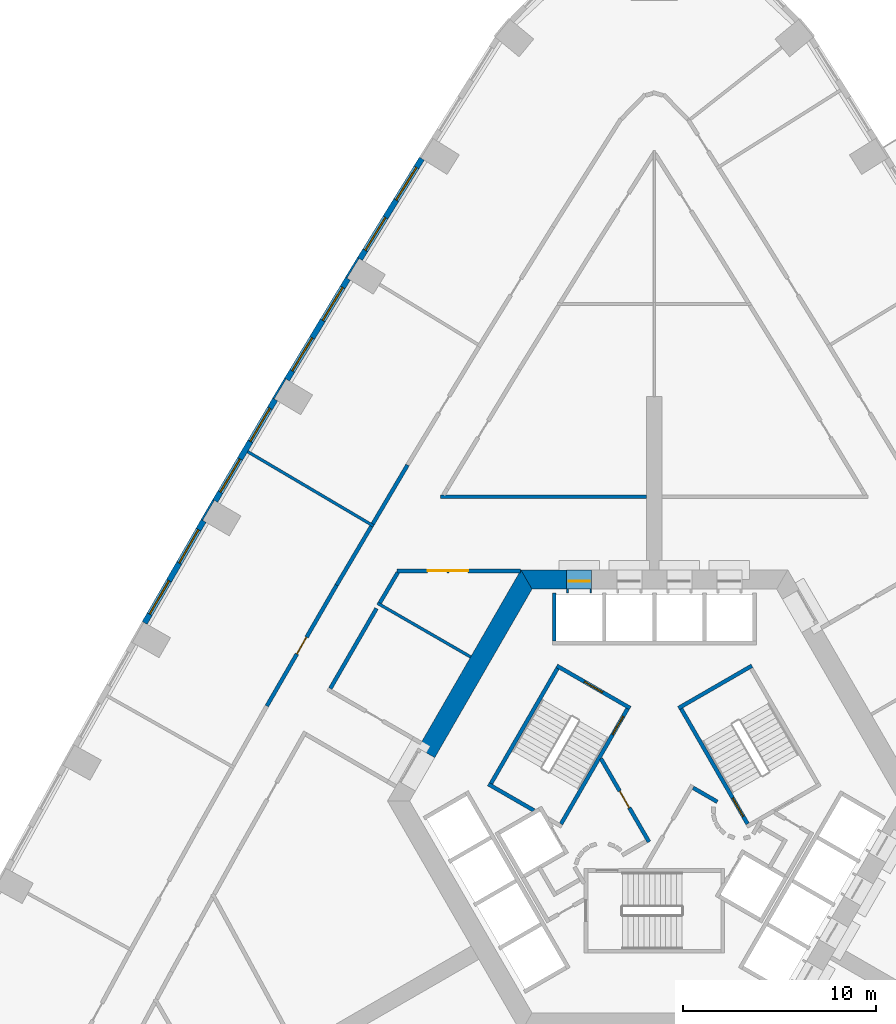
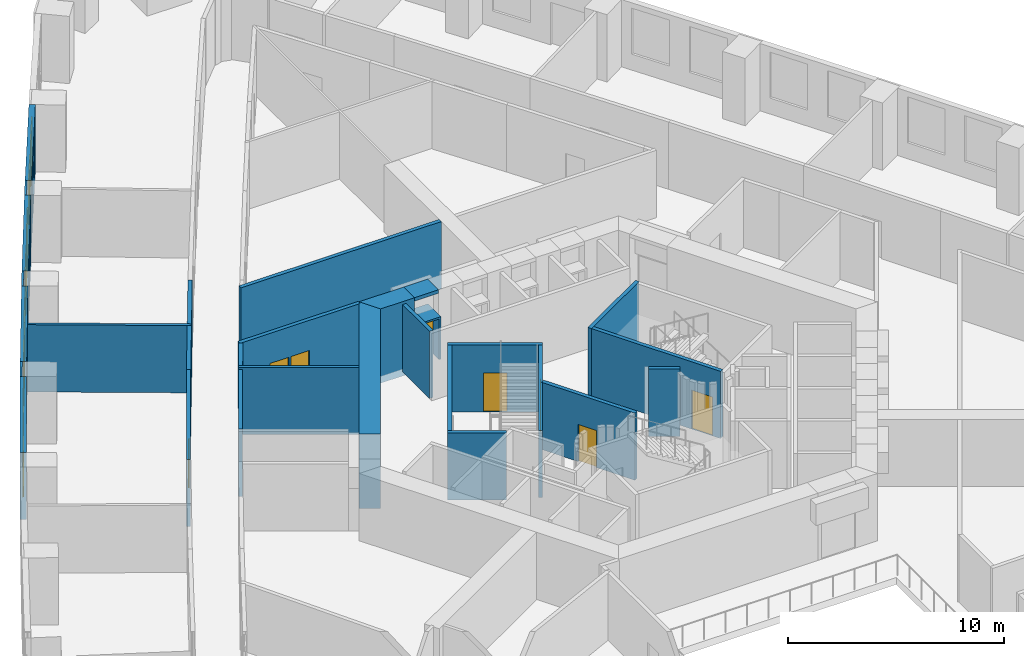
# One storey, part 8 of 16: 29 walls, 8 doors, 8 windows, 16 openings.
"""IFC4 building model written with IfcOpenShell, lengths in metres."""

from ifc_helpers import new_model, si_unit, direction, frame, frame_2d, origin, place, context, subcontext, project, spatial, polyline, rectangle, outline, extrude, material, layer, layer_set, type_object, element, fill, save


model = new_model("IFC4")

# Units and contexts
model_context = context("Model", 3, precision=1e-05, world=origin(), true_north=direction((0.0, 1.0)))
body_context = subcontext(model_context, "Body", "Model", "MODEL_VIEW")
ifc_project = project(units=[si_unit("LENGTHUNIT", "METRE"), si_unit("AREAUNIT", "SQUARE_METRE"), si_unit("VOLUMEUNIT", "CUBIC_METRE"), si_unit("PLANEANGLEUNIT", "RADIAN"), si_unit("MASSUNIT", "GRAM", prefix="KILO")], contexts=[model_context])

# Site, building, storey
site_placement = place(None, origin())
site = spatial("IfcSite", under=ifc_project, at=site_placement, CompositionType="ELEMENT")
building_placement = place(site_placement, origin())
building = spatial("IfcBuilding", under=site, at=building_placement, Name="Entoto Arch Interchange Tower", CompositionType="ELEMENT")
storey_placement = place(building_placement, frame((0.0, 0.0, 47.60009765625)))
storey = spatial("IfcBuildingStorey", under=building, at=storey_placement, Name="L09", CompositionType="ELEMENT", Elevation=47.60009765625)

# Walls
ifc_material_1 = material(Name="Concrete C60/75", Category="concrete")
ifc_layer_1 = layer(ifc_material_1, 1.0)
ifc_layer_set_1 = layer_set([ifc_layer_1], Name="Concrete C60/75")
wall_type_1 = type_object("IfcWallType", Name="Core wall 1000 C60/75", PredefinedType="SHEAR", material=ifc_layer_set_1)
wall_1_placement = place(storey_placement, frame((0.0, 0.0, -0.400146484375)))
element("IfcWall", 1, at=wall_1_placement, inside=storey, type_object=wall_type_1, Name="Core wall N L09", PredefinedType="SHEAR", context=body_context, shape_type="SweptSolid", body=[
    extrude(outline(polyline([(-4.550048828125, 13.5), (-4.550048828125, 14.5), (-6.927978515625, 14.5), (-6.35107421875, 13.5), (-4.550048828125, 13.5)])), origin(), (0.0, 0.0, 1.0), 4.199951171875),
])
wall_2_placement = place(storey_placement, frame((0.0, 0.0, 3.599853515625)))
element("IfcWall", 2, at=wall_2_placement, inside=storey, type_object=wall_type_1, Name="Core wall lintel N L09", PredefinedType="SHEAR", context=body_context, shape_type="SweptSolid", body=[
    extrude(outline(polyline([(-4.550048828125, 14.5), (-4.550048828125, 13.5), (-3.25, 13.5), (-3.25, 14.5), (-4.550048828125, 14.5)])), origin(), (0.0, 0.0, 1.0), 0.199951171875),
])
wall_3_placement = place(storey_placement, frame((0.0, 0.0, -0.400146484375)))
element("IfcWall", 3, at=wall_3_placement, inside=storey, type_object=wall_type_1, Name="Core wall NW L09", PredefinedType="SHEAR", context=body_context, shape_type="SweptSolid", body=[
    extrude(outline(polyline([(-12.26708984375, 5.251953125), (-11.402099609375, 4.751953125), (-6.35107421875, 13.5), (-6.927978515625, 14.5), (-12.26708984375, 5.251953125)])), origin(), (0.0, 0.0, 1.0), 4.199951171875),
])

# Wall, opening, door
ifc_material_2 = material(Name="Concrete C40/50", Category="concrete")
ifc_layer_2 = layer(ifc_material_2, 1.199951171875)
ifc_layer_set_2 = layer_set([ifc_layer_2], Name="Concrete C40/50")
wall_type_2 = type_object("IfcWallType", Name="LIFT LANDING INFILL WALL", PredefinedType="STANDARD", material=ifc_layer_set_2)
wall_4_placement = place(storey_placement, frame((-3.25, 13.89990234375, 0.0), z_axis=(0.0, 0.0, 1.0), x_axis=(-1.0, 0.0, 0.0)))
wall_4 = element("IfcWall", 4, at=wall_4_placement, inside=storey, type_object=wall_type_2, Name="Lift landing infill wall LR4 L09", PredefinedType="STANDARD", context=body_context, shape_type="SweptSolid", body=[
    extrude(rectangle(XDim=1.300048828125, YDim=1.199951171875, at=frame_2d((0.64990234375, 0.0))), origin(), (0.0, 0.0, 1.0), 2.39990234375),
])
opening_1_placement = place(wall_4_placement, frame((0.10009765625, 0.0, 0.0)))
opening_1 = element("IfcOpeningElement", 5, at=opening_1_placement, cuts=wall_4, Name="Opening LD-LR4-L09", PredefinedType="OPENING", context=body_context, shape_type="SweptSolid", body=[
    extrude(rectangle(XDim=1.10009765625, YDim=2.300048828125, at=frame_2d((0.550048828125, 1.14990234375))), frame((0.0, 0.60986328125, 0.0), z_axis=(0.0, -1.0, 0.0), x_axis=(1.0, 0.0, 0.0)), (0.0, 0.0, 1.0), 1.219970703125),
])
ifc_material_3 = material(Name="Stainless steel 1.4301 panels", Category="steel")
door_type_1 = type_object("IfcDoorType", Name="LIFT LANDING DOOR LD2 1100x2300", OperationType="SLIDING_TO_LEFT", PredefinedType="DOOR", material=ifc_material_3)
door_1_placement = place(opening_1_placement, origin())
door_1 = element("IfcDoor", 6, at=door_1_placement, inside=storey, type_object=door_type_1, Name="Lift landing door LR4 L09", OperationType="SLIDING_TO_LEFT", OverallHeight=2.300048828125, OverallWidth=1.10009765625, PredefinedType="DOOR", context=body_context, shape_type="SweptSolid", body=[
    extrude(rectangle(XDim=1.10009765625, YDim=2.300048828125, at=frame_2d((0.550048828125, 1.14990234375))), frame((0.0, 0.02490234375, 0.0), z_axis=(0.0, -1.0, 0.0), x_axis=(1.0, 0.0, 0.0)), (0.0, 0.0, 1.0), 0.050048828125),
])
fill(opening_1, door_1)

# Walls
ifc_layer_3 = layer(ifc_material_2, 0.199951171875)
ifc_layer_set_3 = layer_set([ifc_layer_3], Name="Concrete C40/50")
wall_type_3 = type_object("IfcWallType", Name="LIFT SHAFT WALL 200", PredefinedType="STANDARD", material=ifc_layer_set_3)
wall_5_placement = place(storey_placement, frame((-5.199951171875, 10.800048828125, 0.0), z_axis=(0.0, 0.0, 1.0), x_axis=(0.0, 1.0, 0.0)))
element("IfcWall", 7, at=wall_5_placement, inside=storey, type_object=wall_type_3, Name="Shaft wall N3 cross 5", PredefinedType="STANDARD", context=body_context, shape_type="SweptSolid", body=[
    extrude(rectangle(XDim=2.5, YDim=0.199951171875, at=frame_2d((1.25, 0.0))), origin(), (0.0, 0.0, 1.0), 3.7998046875),
])
ifc_material_4 = material(Name="Gypsum board partition on steel studs", Category="steel")
ifc_layer_4 = layer(ifc_material_4, 0.14990234375)
ifc_layer_set_4 = layer_set([ifc_layer_4], Name="Gypsum board partition on steel studs")
wall_type_4 = type_object("IfcWallType", Name="PARTITION 150", PredefinedType="PARTITIONING", material=ifc_layer_set_4)
wall_6_placement = place(storey_placement, frame((-14.376953125, 12.77490234375, 0.0), z_axis=(0.0, 0.0, 1.0), x_axis=(0.866051730117, -0.499954398681, 0.0)))
element("IfcWall", 8, at=wall_6_placement, inside=storey, type_object=wall_type_4, Name="wall:L09:p090", PredefinedType="PARTITIONING", context=body_context, shape_type="SweptSolid", body=[
    extrude(rectangle(XDim=5.58837890625, YDim=0.14990234375, at=frame_2d((2.794189453125, 0.0))), origin(), (0.0, 0.0, 1.0), 3.7998046875),
])
wall_7_placement = place(storey_placement, frame((-14.570068359375, 16.77587890625, 0.0), z_axis=(0.0, 0.0, 1.0), x_axis=(-0.861124703857, 0.508393788718, 0.0)))
element("IfcWall", 9, at=wall_7_placement, inside=storey, type_object=wall_type_4, Name="wall:L09:p141", PredefinedType="PARTITIONING", context=body_context, shape_type="SweptSolid", body=[
    extrude(rectangle(XDim=7.600341796875, YDim=0.14990234375, at=frame_2d((3.80029296875, 0.0))), origin(), (0.0, 0.0, 1.0), 3.7998046875),
])
ifc_layer_5 = layer(ifc_material_4, 0.199951171875)
ifc_layer_set_5 = layer_set([ifc_layer_5], Name="Gypsum board partition on steel studs")
wall_type_5 = type_object("IfcWallType", Name="PARTITION 200", PredefinedType="PARTITIONING", material=ifc_layer_set_5)
wall_8_placement = place(storey_placement, frame((-14.425048828125, 12.4970703125, 0.0), z_axis=(0.0, 0.0, 1.0), x_axis=(-0.500026519606, -0.866010092142, 0.0)))
element("IfcWall", 10, at=wall_8_placement, inside=storey, type_object=wall_type_5, Name="wall:L09:p001", PredefinedType="PARTITIONING", context=body_context, shape_type="SweptSolid", body=[
    extrude(rectangle(XDim=4.795654296875, YDim=0.199951171875, at=frame_2d((2.39794921875, 0.0))), origin(), (0.0, 0.0, 1.0), 3.7998046875),
])
wall_9_placement = place(storey_placement, frame((-13.322998046875, 14.364013671875, 0.0), z_axis=(0.0, 0.0, 1.0), x_axis=(-0.508274698505, -0.861195001646, 0.0)))
element("IfcWall", 11, at=wall_9_placement, inside=storey, type_object=wall_type_5, Name="wall:L09:p003", PredefinedType="PARTITIONING", context=body_context, shape_type="SweptSolid", body=[
    extrude(rectangle(XDim=1.82763671875, YDim=0.199951171875, at=frame_2d((0.913818359375, 0.0))), origin(), (0.0, 0.0, 1.0), 3.7998046875),
])
wall_10_placement = place(storey_placement, frame((-14.617919921875, 16.89111328125, 0.0), z_axis=(0.0, 0.0, 1.0), x_axis=(0.508267810274, 0.861199067022, 0.0)))
element("IfcWall", 12, at=wall_10_placement, inside=storey, type_object=wall_type_5, Name="wall:L09:p062", PredefinedType="PARTITIONING", context=body_context, shape_type="SweptSolid", body=[
    extrude(rectangle(XDim=3.54736328125, YDim=0.199951171875, at=frame_2d((1.773681640625, 0.0))), origin(), (0.0, 0.0, 1.0), 3.7998046875),
])

# Wall, opening, door
wall_11_placement = place(storey_placement, frame((-20.1201171875, 7.43408203125, 0.0), z_axis=(0.0, 0.0, 1.0), x_axis=(0.500039488902, 0.866002603656, 0.0)))
wall_11 = element("IfcWall", 13, at=wall_11_placement, inside=storey, type_object=wall_type_5, Name="wall:L09:p065", PredefinedType="PARTITIONING", context=body_context, shape_type="SweptSolid", body=[
    extrude(rectangle(XDim=7.24365234375, YDim=0.199951171875, at=frame_2d((3.621826171875, 0.0))), origin(), (0.0, 0.0, 1.0), 3.7998046875),
])
opening_2_placement = place(wall_11_placement, frame((3.1220703125, 0.0, 0.0)))
opening_2 = element("IfcOpeningElement", 14, at=opening_2_placement, cuts=wall_11, Name="Opening L09-D11", PredefinedType="OPENING", context=body_context, shape_type="SweptSolid", body=[
    extrude(rectangle(XDim=1.0, YDim=2.10009765625, at=frame_2d((0.5, 1.050048828125))), frame((0.0, 0.10986328125, 0.0), z_axis=(0.0, -1.0, 0.0), x_axis=(1.0, 0.0, 0.0)), (0.0, 0.0, 1.0), 0.219970703125),
])
ifc_material_5 = material(Name="Timber door leaf in Steel S235 frame", Category="steel")
door_type_2 = type_object("IfcDoorType", Name="DOOR DS-10 1000x2100", OperationType="SINGLE_SWING_LEFT", PredefinedType="DOOR", material=ifc_material_5)
door_2_placement = place(opening_2_placement, origin())
door_2 = element("IfcDoor", 15, at=door_2_placement, inside=storey, type_object=door_type_2, Name="door:L09:11", OperationType="SINGLE_SWING_LEFT", OverallHeight=2.10009765625, OverallWidth=1.0, PredefinedType="DOOR", context=body_context, shape_type="SweptSolid", body=[
    extrude(rectangle(XDim=1.0, YDim=2.10009765625, at=frame_2d((0.5, 1.050048828125))), frame((0.0, 0.02490234375, 0.0), z_axis=(0.0, -1.0, 0.0), x_axis=(1.0, 0.0, 0.0)), (0.0, 0.0, 1.0), 0.050048828125),
])
fill(opening_2, door_2)

# Wall
wall_12_placement = place(storey_placement, frame((-16.498046875, 13.70703125, 0.0), z_axis=(0.0, 0.0, 1.0), x_axis=(0.508471945541, 0.861078556578, 0.0)))
element("IfcWall", 16, at=wall_12_placement, inside=storey, type_object=wall_type_5, Name="wall:L09:p066", PredefinedType="PARTITIONING", context=body_context, shape_type="SweptSolid", body=[
    extrude(rectangle(XDim=3.5478515625, YDim=0.199951171875, at=frame_2d((1.77392578125, 0.0))), origin(), (0.0, 0.0, 1.0), 3.7998046875),
])

# Wall, openings, doors
wall_13_placement = place(storey_placement, frame((-6.95703125, 14.449951171875, 0.0), z_axis=(0.0, 0.0, 1.0), x_axis=(-1.0, 0.0, 0.0)))
wall_13 = element("IfcWall", 17, at=wall_13_placement, inside=storey, type_object=wall_type_5, Name="wall:L09:p091", PredefinedType="PARTITIONING", context=body_context, shape_type="SweptSolid", body=[
    extrude(rectangle(XDim=6.4150390625, YDim=0.199951171875, at=frame_2d((3.20751953125, 0.0))), origin(), (0.0, 0.0, 1.0), 3.7998046875),
])
opening_3_placement = place(wall_13_placement, frame((2.7080078125, 0.0, 0.0)))
opening_3 = element("IfcOpeningElement", 18, at=opening_3_placement, cuts=wall_13, Name="Opening L09-D28", PredefinedType="OPENING", context=body_context, shape_type="SweptSolid", body=[
    extrude(rectangle(XDim=1.0, YDim=2.10009765625, at=frame_2d((0.5, 1.050048828125))), frame((0.0, 0.10986328125, 0.0), z_axis=(0.0, -1.0, 0.0), x_axis=(1.0, 0.0, 0.0)), (0.0, 0.0, 1.0), 0.219970703125),
])
opening_4_placement = place(wall_13_placement, frame((3.80810546875, 0.0, 0.0)))
opening_4 = element("IfcOpeningElement", 19, at=opening_4_placement, cuts=wall_13, Name="Opening L09-D35", PredefinedType="OPENING", context=body_context, shape_type="SweptSolid", body=[
    extrude(rectangle(XDim=1.0, YDim=2.10009765625, at=frame_2d((0.5, 1.050048828125))), frame((0.0, 0.10986328125, 0.0), z_axis=(0.0, -1.0, 0.0), x_axis=(1.0, 0.0, 0.0)), (0.0, 0.0, 1.0), 0.219970703125),
])
door_3_placement = place(opening_3_placement, origin())
door_3 = element("IfcDoor", 20, at=door_3_placement, inside=storey, type_object=door_type_2, Name="door:L09:28", OperationType="SINGLE_SWING_LEFT", OverallHeight=2.10009765625, OverallWidth=1.0, PredefinedType="DOOR", context=body_context, shape_type="SweptSolid", body=[
    extrude(rectangle(XDim=1.0, YDim=2.10009765625, at=frame_2d((0.5, 1.050048828125))), frame((0.0, 0.02490234375, 0.0), z_axis=(0.0, -1.0, 0.0), x_axis=(1.0, 0.0, 0.0)), (0.0, 0.0, 1.0), 0.050048828125),
])
fill(opening_3, door_3)
door_4_placement = place(opening_4_placement, origin())
door_4 = element("IfcDoor", 21, at=door_4_placement, inside=storey, type_object=door_type_2, Name="door:L09:35", OperationType="SINGLE_SWING_RIGHT", OverallHeight=2.10009765625, OverallWidth=1.0, PredefinedType="DOOR", context=body_context, shape_type="SweptSolid", body=[
    extrude(rectangle(XDim=1.0, YDim=2.10009765625, at=frame_2d((0.5, 1.050048828125))), frame((0.0, 0.02490234375, 0.0), z_axis=(0.0, -1.0, 0.0), x_axis=(1.0, 0.0, 0.0)), (0.0, 0.0, 1.0), 0.050048828125),
])
fill(opening_4, door_4)

# Wall
wall_14_placement = place(storey_placement, frame((2.011962890625, 3.18603515625, 0.0), z_axis=(0.0, 0.0, 1.0), x_axis=(0.865891012941, -0.500232699559, 0.0)))
element("IfcWall", 22, at=wall_14_placement, inside=storey, type_object=wall_type_5, Name="wall:L09:p095", PredefinedType="PARTITIONING", context=body_context, shape_type="SweptSolid", body=[
    extrude(rectangle(XDim=1.449462890625, YDim=0.199951171875, at=frame_2d((0.724609375, 0.0))), origin(), (0.0, 0.0, 1.0), 3.7998046875),
])

# Wall, opening, door
wall_15_placement = place(storey_placement, frame((-2.77099609375, 4.699951171875, 0.0), z_axis=(0.0, 0.0, 1.0), x_axis=(0.499969479948, -0.866043023828, 0.0)))
wall_15 = element("IfcWall", 23, at=wall_15_placement, inside=storey, type_object=wall_type_5, Name="wall:L09:p102", PredefinedType="PARTITIONING", context=body_context, shape_type="SweptSolid", body=[
    extrude(rectangle(XDim=4.990478515625, YDim=0.199951171875, at=frame_2d((2.4951171875, 0.0))), origin(), (0.0, 0.0, 1.0), 3.7998046875),
])
opening_5_placement = place(wall_15_placement, frame((1.945068359375, 0.0, 0.0)))
opening_5 = element("IfcOpeningElement", 24, at=opening_5_placement, cuts=wall_15, Name="Opening L09-D32", PredefinedType="OPENING", context=body_context, shape_type="SweptSolid", body=[
    extrude(rectangle(XDim=1.0, YDim=2.10009765625, at=frame_2d((0.5, 1.050048828125))), frame((0.0, 0.10986328125, 0.0), z_axis=(0.0, -1.0, 0.0), x_axis=(1.0, 0.0, 0.0)), (0.0, 0.0, 1.0), 0.219970703125),
])
ifc_material_6 = material(Name="Fire-rated Steel S235 door and frame", Category="steel")
door_type_3 = type_object("IfcDoorType", Name="DOOR FD-10 1000x2100", OperationType="SINGLE_SWING_LEFT", PredefinedType="DOOR", material=ifc_material_6)
door_5_placement = place(opening_5_placement, origin())
door_5 = element("IfcDoor", 25, at=door_5_placement, inside=storey, type_object=door_type_3, Name="door:L09:32", OperationType="SINGLE_SWING_RIGHT", OverallHeight=2.10009765625, OverallWidth=1.0, PredefinedType="DOOR", context=body_context, shape_type="SweptSolid", body=[
    extrude(rectangle(XDim=1.0, YDim=2.10009765625, at=frame_2d((0.5, 1.050048828125))), frame((0.0, 0.02490234375, 0.0), z_axis=(0.0, -1.0, 0.0), x_axis=(1.0, 0.0, 0.0)), (0.0, 0.0, 1.0), 0.050048828125),
])
fill(opening_5, door_5)

# Walls
wall_16_placement = place(storey_placement, frame((-11.09912109375, 18.300048828125, 0.0), z_axis=(0.0, 0.0, 1.0), x_axis=(1.0, 0.0, 0.0)))
element("IfcWall", 26, at=wall_16_placement, inside=storey, type_object=wall_type_5, Name="wall:L09:p117", PredefinedType="PARTITIONING", context=body_context, shape_type="SweptSolid", body=[
    extrude(rectangle(XDim=10.69921875, YDim=0.199951171875, at=frame_2d((5.349609375, 0.0))), origin(), (0.0, 0.0, 1.0), 3.7998046875),
])
ifc_layer_6 = layer(ifc_material_2, 0.199951171875)
ifc_layer_set_6 = layer_set([ifc_layer_6], Name="Concrete C40/50")
wall_type_6 = type_object("IfcWallType", Name="STAIR ENCLOSURE WALL 200", PredefinedType="STANDARD", material=ifc_layer_set_6)
wall_17_placement = place(storey_placement, frame((1.256103515625, 7.323974609375, 0.0), z_axis=(0.0, 0.0, 1.0), x_axis=(0.866046073146, 0.499964197906, 0.0)))
element("IfcWall", 27, at=wall_17_placement, inside=storey, type_object=wall_type_6, Name="Stair wall ST-NE far", PredefinedType="STANDARD", context=body_context, shape_type="SweptSolid", body=[
    extrude(rectangle(XDim=4.400146484375, YDim=0.199951171875, at=frame_2d((2.2001953125, 0.0))), origin(), (0.0, 0.0, 1.0), 3.7998046875),
])

# Wall, opening, door
wall_18_placement = place(storey_placement, frame((4.843017578125, 1.31201171875, 0.0), z_axis=(0.0, 0.0, 1.0), x_axis=(-0.499963383562, 0.866046543262, 0.0)))
wall_18 = element("IfcWall", 28, at=wall_18_placement, inside=storey, type_object=wall_type_6, Name="Stair wall ST-NE hall", PredefinedType="STANDARD", context=body_context, shape_type="SweptSolid", body=[
    extrude(rectangle(XDim=6.900390625, YDim=0.199951171875, at=frame_2d((3.4501953125, 0.0))), origin(), (0.0, 0.0, 1.0), 3.7998046875),
])
opening_6_placement = place(wall_18_placement, frame((0.449951171875, 0.0, 0.0)))
opening_6 = element("IfcOpeningElement", 29, at=opening_6_placement, cuts=wall_18, Name="Opening SD-ST-NE-L09", PredefinedType="OPENING", context=body_context, shape_type="SweptSolid", body=[
    extrude(rectangle(XDim=1.10009765625, YDim=2.199951171875, at=frame_2d((0.550048828125, 1.10009765625))), frame((0.0, 0.10986328125, 0.0), z_axis=(0.0, -1.0, 0.0), x_axis=(1.0, 0.0, 0.0)), (0.0, 0.0, 1.0), 0.219970703125),
])
ifc_material_7 = material(Name="Steel S235", Category="steel")
door_type_4 = type_object("IfcDoorType", Name="STAIR DOOR SD1 1100x2200", OperationType="SINGLE_SWING_LEFT", PredefinedType="DOOR", material=ifc_material_7)
door_6_placement = place(opening_6_placement, origin())
door_6 = element("IfcDoor", 30, at=door_6_placement, inside=storey, type_object=door_type_4, Name="Stair door ST-NE L09", OperationType="SINGLE_SWING_LEFT", OverallHeight=2.199951171875, OverallWidth=1.10009765625, PredefinedType="DOOR", context=body_context, shape_type="SweptSolid", body=[
    extrude(rectangle(XDim=1.10009765625, YDim=2.199951171875, at=frame_2d((0.550048828125, 1.10009765625))), frame((0.0, 0.02490234375, 0.0), z_axis=(0.0, -1.0, 0.0), x_axis=(1.0, 0.0, 0.0)), (0.0, 0.0, 1.0), 0.050048828125),
])
fill(opening_6, door_6)

wall_19_placement = place(storey_placement, frame((-1.256103515625, 7.323974609375, 0.0), z_axis=(0.0, 0.0, 1.0), x_axis=(-0.866046073146, 0.499964197906, 0.0)))
wall_19 = element("IfcWall", 31, at=wall_19_placement, inside=storey, type_object=wall_type_6, Name="Stair wall ST-NW near", PredefinedType="STANDARD", context=body_context, shape_type="SweptSolid", body=[
    extrude(rectangle(XDim=4.400146484375, YDim=0.199951171875, at=frame_2d((2.2001953125, 0.0))), origin(), (0.0, 0.0, 1.0), 3.7998046875),
])
opening_7_placement = place(wall_19_placement, frame((1.64990234375, 0.0, 0.0)))
opening_7 = element("IfcOpeningElement", 32, at=opening_7_placement, cuts=wall_19, Name="Opening SD-ST-NW-L09-E", PredefinedType="OPENING", context=body_context, shape_type="SweptSolid", body=[
    extrude(rectangle(XDim=1.10009765625, YDim=2.199951171875, at=frame_2d((0.550048828125, 1.10009765625))), frame((0.0, 0.10986328125, 0.0), z_axis=(0.0, -1.0, 0.0), x_axis=(1.0, 0.0, 0.0)), (0.0, 0.0, 1.0), 0.219970703125),
])
door_7_placement = place(opening_7_placement, origin())
door_7 = element("IfcDoor", 33, at=door_7_placement, inside=storey, type_object=door_type_4, Name="Stair door ST-NW L09 end", OperationType="SINGLE_SWING_LEFT", OverallHeight=2.199951171875, OverallWidth=1.10009765625, PredefinedType="DOOR", context=body_context, shape_type="SweptSolid", body=[
    extrude(rectangle(XDim=1.10009765625, YDim=2.199951171875, at=frame_2d((0.550048828125, 1.10009765625))), frame((0.0, 0.02490234375, 0.0), z_axis=(0.0, -1.0, 0.0), x_axis=(1.0, 0.0, 0.0)), (0.0, 0.0, 1.0), 0.050048828125),
])
fill(opening_7, door_7)

# Wall
wall_20_placement = place(storey_placement, frame((-6.25, 2.010009765625, 0.0), z_axis=(0.0, 0.0, 1.0), x_axis=(-0.86611865017, 0.499838457731, 0.0)))
element("IfcWall", 34, at=wall_20_placement, inside=storey, type_object=wall_type_6, Name="Stair wall ST-NW far", PredefinedType="STANDARD", context=body_context, shape_type="SweptSolid", body=[
    extrude(rectangle(XDim=2.73291015625, YDim=0.199951171875, at=frame_2d((1.366455078125, 0.0))), origin(), (0.0, 0.0, 1.0), 3.7998046875),
])

# Wall, opening, door
wall_21_placement = place(storey_placement, frame((-1.39306640625, 7.2880859375, 0.0), z_axis=(0.0, 0.0, 1.0), x_axis=(-0.499963383562, -0.866046543262, 0.0)))
wall_21 = element("IfcWall", 35, at=wall_21_placement, inside=storey, type_object=wall_type_6, Name="Stair wall ST-NW hall", PredefinedType="STANDARD", context=body_context, shape_type="SweptSolid", body=[
    extrude(rectangle(XDim=6.900390625, YDim=0.199951171875, at=frame_2d((3.4501953125, 0.0))), origin(), (0.0, 0.0, 1.0), 3.7998046875),
])
opening_8_placement = place(wall_21_placement, frame((0.449951171875, 0.0, 0.0)))
opening_8 = element("IfcOpeningElement", 36, at=opening_8_placement, cuts=wall_21, Name="Opening SD-ST-NW-L09", PredefinedType="OPENING", context=body_context, shape_type="SweptSolid", body=[
    extrude(rectangle(XDim=1.10009765625, YDim=2.199951171875, at=frame_2d((0.550048828125, 1.10009765625))), frame((0.0, 0.10986328125, 0.0), z_axis=(0.0, -1.0, 0.0), x_axis=(1.0, 0.0, 0.0)), (0.0, 0.0, 1.0), 0.219970703125),
])
door_8_placement = place(opening_8_placement, origin())
door_8 = element("IfcDoor", 37, at=door_8_placement, inside=storey, type_object=door_type_4, Name="Stair door ST-NW L09", OperationType="SINGLE_SWING_LEFT", OverallHeight=2.199951171875, OverallWidth=1.10009765625, PredefinedType="DOOR", context=body_context, shape_type="SweptSolid", body=[
    extrude(rectangle(XDim=1.10009765625, YDim=2.199951171875, at=frame_2d((0.550048828125, 1.10009765625))), frame((0.0, 0.02490234375, 0.0), z_axis=(0.0, -1.0, 0.0), x_axis=(1.0, 0.0, 0.0)), (0.0, 0.0, 1.0), 0.050048828125),
])
fill(opening_8, door_8)

# Wall
wall_22_placement = place(storey_placement, frame((-5.030029296875, 9.387939453125, 0.0), z_axis=(0.0, 0.0, 1.0), x_axis=(-0.499978703459, -0.866037698999, 0.0)))
element("IfcWall", 38, at=wall_22_placement, inside=storey, type_object=wall_type_6, Name="Stair wall ST-NW back", PredefinedType="STANDARD", context=body_context, shape_type="SweptSolid", body=[
    extrude(rectangle(XDim=6.900146484375, YDim=0.199951171875, at=frame_2d((3.4501953125, 0.0))), origin(), (0.0, 0.0, 1.0), 3.7998046875),
])

# Wall, openings, windows
ifc_material_8 = material(Name="Welded tuff (ignimbrite) cladding, warm buff", Category="masonry")
ifc_layer_7 = layer(ifc_material_8, 0.300048828125)
ifc_layer_set_7 = layer_set([ifc_layer_7], Name="Welded tuff (ignimbrite) cladding, warm buff")
wall_type_7 = type_object("IfcWallType", Name="STONE INFILL WALL 300", PredefinedType="STANDARD", material=ifc_layer_set_7)
wall_23_placement = place(storey_placement, frame((-12.072998046875, 35.85302734375, 0.0), z_axis=(0.0, 0.0, 1.0), x_axis=(-0.525114088226, -0.851031840971, 0.0)))
wall_23 = element("IfcWall", 39, at=wall_23_placement, inside=storey, type_object=wall_type_7, Name="Facade wall NW-02 L09", PredefinedType="STANDARD", context=body_context, shape_type="SweptSolid", body=[
    extrude(rectangle(XDim=6.120849609375, YDim=0.300048828125, at=frame_2d((3.060546875, 0.0))), origin(), (0.0, 0.0, 1.0), 3.7998046875),
])
opening_9_placement = place(wall_23_placement, frame((0.530029296875, 0.0, 0.89990234375)))
opening_9 = element("IfcOpeningElement", 40, at=opening_9_placement, cuts=wall_23, Name="Opening WO-C", PredefinedType="OPENING", context=body_context, shape_type="SweptSolid", body=[
    extrude(rectangle(XDim=2.0, YDim=2.60009765625, at=frame_2d((1.0, 1.300048828125))), frame((0.0, 0.16015625, 0.0), z_axis=(0.0, -1.0, 0.0), x_axis=(1.0, 0.0, 0.0)), (0.0, 0.0, 1.0), 0.320068359375),
])
opening_10_placement = place(wall_23_placement, frame((3.591064453125, 0.0, 0.89990234375)))
opening_10 = element("IfcOpeningElement", 41, at=opening_10_placement, cuts=wall_23, Name="Opening WO-C", PredefinedType="OPENING", context=body_context, shape_type="SweptSolid", body=[
    extrude(rectangle(XDim=2.0, YDim=2.60009765625, at=frame_2d((1.0, 1.300048828125))), frame((0.0, 0.16015625, 0.0), z_axis=(0.0, -1.0, 0.0), x_axis=(1.0, 0.0, 0.0)), (0.0, 0.0, 1.0), 0.320068359375),
])
ifc_material_9 = material(Name="Clear glass, low-e double glazed", Category="glass")
window_type = type_object("IfcWindowType", Name="WINDOW WO-C 2000x2600", PartitioningType="DOUBLE_PANEL_VERTICAL", PredefinedType="WINDOW", material=ifc_material_9)
window_1_placement = place(opening_9_placement, origin())
window_1 = element("IfcWindow", 42, at=window_1_placement, inside=storey, type_object=window_type, Name="Window WO-C NW-02 L09", OverallHeight=2.60009765625, OverallWidth=2.0, PartitioningType="SINGLE_PANEL", PredefinedType="WINDOW", context=body_context, shape_type="SweptSolid", body=[
    extrude(rectangle(XDim=2.0, YDim=2.60009765625, at=frame_2d((1.0, 1.300048828125))), frame((0.0, 0.030029296875, 0.0), z_axis=(0.0, -1.0, 0.0), x_axis=(1.0, 0.0, 0.0)), (0.0, 0.0, 1.0), 0.06005859375),
])
fill(opening_9, window_1)
window_2_placement = place(opening_10_placement, origin())
window_2 = element("IfcWindow", 43, at=window_2_placement, inside=storey, type_object=window_type, Name="Window WO-C NW-02 L09", OverallHeight=2.60009765625, OverallWidth=2.0, PartitioningType="SINGLE_PANEL", PredefinedType="WINDOW", context=body_context, shape_type="SweptSolid", body=[
    extrude(rectangle(XDim=2.0, YDim=2.60009765625, at=frame_2d((1.0, 1.300048828125))), frame((0.0, 0.030029296875, 0.0), z_axis=(0.0, -1.0, 0.0), x_axis=(1.0, 0.0, 0.0)), (0.0, 0.0, 1.0), 0.06005859375),
])
fill(opening_10, window_2)

wall_24_placement = place(storey_placement, frame((-15.910888671875, 29.62109375, 0.0), z_axis=(0.0, 0.0, 1.0), x_axis=(-0.516699243123, -0.856166976796, 0.0)))
wall_24 = element("IfcWall", 44, at=wall_24_placement, inside=storey, type_object=wall_type_7, Name="Facade wall NW-03 L09", PredefinedType="STANDARD", context=body_context, shape_type="SweptSolid", body=[
    extrude(rectangle(XDim=6.121826171875, YDim=0.300048828125, at=frame_2d((3.06103515625, 0.0))), origin(), (0.0, 0.0, 1.0), 3.7998046875),
])
opening_11_placement = place(wall_24_placement, frame((0.530029296875, 0.0, 0.89990234375)))
opening_11 = element("IfcOpeningElement", 45, at=opening_11_placement, cuts=wall_24, Name="Opening WO-C", PredefinedType="OPENING", context=body_context, shape_type="SweptSolid", body=[
    extrude(rectangle(XDim=2.0, YDim=2.60009765625, at=frame_2d((1.0, 1.300048828125))), frame((0.0, 0.16015625, 0.0), z_axis=(0.0, -1.0, 0.0), x_axis=(1.0, 0.0, 0.0)), (0.0, 0.0, 1.0), 0.320068359375),
])
opening_12_placement = place(wall_24_placement, frame((3.591064453125, 0.0, 0.89990234375)))
opening_12 = element("IfcOpeningElement", 46, at=opening_12_placement, cuts=wall_24, Name="Opening WO-C", PredefinedType="OPENING", context=body_context, shape_type="SweptSolid", body=[
    extrude(rectangle(XDim=2.0, YDim=2.60009765625, at=frame_2d((1.0, 1.300048828125))), frame((0.0, 0.16015625, 0.0), z_axis=(0.0, -1.0, 0.0), x_axis=(1.0, 0.0, 0.0)), (0.0, 0.0, 1.0), 0.320068359375),
])
window_3_placement = place(opening_11_placement, origin())
window_3 = element("IfcWindow", 47, at=window_3_placement, inside=storey, type_object=window_type, Name="Window WO-C NW-03 L09", OverallHeight=2.60009765625, OverallWidth=2.0, PartitioningType="SINGLE_PANEL", PredefinedType="WINDOW", context=body_context, shape_type="SweptSolid", body=[
    extrude(rectangle(XDim=2.0, YDim=2.60009765625, at=frame_2d((1.0, 1.300048828125))), frame((0.0, 0.030029296875, 0.0), z_axis=(0.0, -1.0, 0.0), x_axis=(1.0, 0.0, 0.0)), (0.0, 0.0, 1.0), 0.06005859375),
])
fill(opening_11, window_3)
window_4_placement = place(opening_12_placement, origin())
window_4 = element("IfcWindow", 48, at=window_4_placement, inside=storey, type_object=window_type, Name="Window WO-C NW-03 L09", OverallHeight=2.60009765625, OverallWidth=2.0, PartitioningType="SINGLE_PANEL", PredefinedType="WINDOW", context=body_context, shape_type="SweptSolid", body=[
    extrude(rectangle(XDim=2.0, YDim=2.60009765625, at=frame_2d((1.0, 1.300048828125))), frame((0.0, 0.030029296875, 0.0), z_axis=(0.0, -1.0, 0.0), x_axis=(1.0, 0.0, 0.0)), (0.0, 0.0, 1.0), 0.06005859375),
])
fill(opening_12, window_4)

wall_25_placement = place(storey_placement, frame((-19.68798828125, 23.35107421875, 0.0), z_axis=(0.0, 0.0, 1.0), x_axis=(-0.508412153373, -0.861113861404, 0.0)))
wall_25 = element("IfcWall", 49, at=wall_25_placement, inside=storey, type_object=wall_type_7, Name="Facade wall NW-04 L09", PredefinedType="STANDARD", context=body_context, shape_type="SweptSolid", body=[
    extrude(rectangle(XDim=6.12109375, YDim=0.300048828125, at=frame_2d((3.060546875, 0.0))), origin(), (0.0, 0.0, 1.0), 3.7998046875),
])
opening_13_placement = place(wall_25_placement, frame((0.530029296875, 0.0, 0.89990234375)))
opening_13 = element("IfcOpeningElement", 50, at=opening_13_placement, cuts=wall_25, Name="Opening WO-C", PredefinedType="OPENING", context=body_context, shape_type="SweptSolid", body=[
    extrude(rectangle(XDim=2.0, YDim=2.60009765625, at=frame_2d((1.0, 1.300048828125))), frame((0.0, 0.16015625, 0.0), z_axis=(0.0, -1.0, 0.0), x_axis=(1.0, 0.0, 0.0)), (0.0, 0.0, 1.0), 0.320068359375),
])
opening_14_placement = place(wall_25_placement, frame((3.591064453125, 0.0, 0.89990234375)))
opening_14 = element("IfcOpeningElement", 51, at=opening_14_placement, cuts=wall_25, Name="Opening WO-C", PredefinedType="OPENING", context=body_context, shape_type="SweptSolid", body=[
    extrude(rectangle(XDim=2.0, YDim=2.60009765625, at=frame_2d((1.0, 1.300048828125))), frame((0.0, 0.16015625, 0.0), z_axis=(0.0, -1.0, 0.0), x_axis=(1.0, 0.0, 0.0)), (0.0, 0.0, 1.0), 0.320068359375),
])
window_5_placement = place(opening_13_placement, origin())
window_5 = element("IfcWindow", 52, at=window_5_placement, inside=storey, type_object=window_type, Name="Window WO-C NW-04 L09", OverallHeight=2.60009765625, OverallWidth=2.0, PartitioningType="SINGLE_PANEL", PredefinedType="WINDOW", context=body_context, shape_type="SweptSolid", body=[
    extrude(rectangle(XDim=2.0, YDim=2.60009765625, at=frame_2d((1.0, 1.300048828125))), frame((0.0, 0.030029296875, 0.0), z_axis=(0.0, -1.0, 0.0), x_axis=(1.0, 0.0, 0.0)), (0.0, 0.0, 1.0), 0.06005859375),
])
fill(opening_13, window_5)
window_6_placement = place(opening_14_placement, origin())
window_6 = element("IfcWindow", 53, at=window_6_placement, inside=storey, type_object=window_type, Name="Window WO-C NW-04 L09", OverallHeight=2.60009765625, OverallWidth=2.0, PartitioningType="SINGLE_PANEL", PredefinedType="WINDOW", context=body_context, shape_type="SweptSolid", body=[
    extrude(rectangle(XDim=2.0, YDim=2.60009765625, at=frame_2d((1.0, 1.300048828125))), frame((0.0, 0.030029296875, 0.0), z_axis=(0.0, -1.0, 0.0), x_axis=(1.0, 0.0, 0.0)), (0.0, 0.0, 1.0), 0.06005859375),
])
fill(opening_14, window_6)

wall_26_placement = place(storey_placement, frame((-23.404052734375, 17.0458984375, 0.0), z_axis=(0.0, 0.0, 1.0), x_axis=(-0.499957248001, -0.866050085256, 0.0)))
wall_26 = element("IfcWall", 54, at=wall_26_placement, inside=storey, type_object=wall_type_7, Name="Facade wall NW-05 L09", PredefinedType="STANDARD", context=body_context, shape_type="SweptSolid", body=[
    extrude(rectangle(XDim=6.12060546875, YDim=0.300048828125, at=frame_2d((3.060302734375, 0.0))), origin(), (0.0, 0.0, 1.0), 3.7998046875),
])
opening_15_placement = place(wall_26_placement, frame((0.530029296875, 0.0, 0.89990234375)))
opening_15 = element("IfcOpeningElement", 55, at=opening_15_placement, cuts=wall_26, Name="Opening WO-C", PredefinedType="OPENING", context=body_context, shape_type="SweptSolid", body=[
    extrude(rectangle(XDim=2.0, YDim=2.60009765625, at=frame_2d((1.0, 1.300048828125))), frame((0.0, 0.16015625, 0.0), z_axis=(0.0, -1.0, 0.0), x_axis=(1.0, 0.0, 0.0)), (0.0, 0.0, 1.0), 0.320068359375),
])
opening_16_placement = place(wall_26_placement, frame((3.591064453125, 0.0, 0.89990234375)))
opening_16 = element("IfcOpeningElement", 56, at=opening_16_placement, cuts=wall_26, Name="Opening WO-C", PredefinedType="OPENING", context=body_context, shape_type="SweptSolid", body=[
    extrude(rectangle(XDim=2.0, YDim=2.60009765625, at=frame_2d((1.0, 1.300048828125))), frame((0.0, 0.16015625, 0.0), z_axis=(0.0, -1.0, 0.0), x_axis=(1.0, 0.0, 0.0)), (0.0, 0.0, 1.0), 0.320068359375),
])
window_7_placement = place(opening_15_placement, origin())
window_7 = element("IfcWindow", 57, at=window_7_placement, inside=storey, type_object=window_type, Name="Window WO-C NW-05 L09", OverallHeight=2.60009765625, OverallWidth=2.0, PartitioningType="SINGLE_PANEL", PredefinedType="WINDOW", context=body_context, shape_type="SweptSolid", body=[
    extrude(rectangle(XDim=2.0, YDim=2.60009765625, at=frame_2d((1.0, 1.300048828125))), frame((0.0, 0.030029296875, 0.0), z_axis=(0.0, -1.0, 0.0), x_axis=(1.0, 0.0, 0.0)), (0.0, 0.0, 1.0), 0.06005859375),
])
fill(opening_15, window_7)
window_8_placement = place(opening_16_placement, origin())
window_8 = element("IfcWindow", 58, at=window_8_placement, inside=storey, type_object=window_type, Name="Window WO-C NW-05 L09", OverallHeight=2.60009765625, OverallWidth=2.0, PartitioningType="SINGLE_PANEL", PredefinedType="WINDOW", context=body_context, shape_type="SweptSolid", body=[
    extrude(rectangle(XDim=2.0, YDim=2.60009765625, at=frame_2d((1.0, 1.300048828125))), frame((0.0, 0.030029296875, 0.0), z_axis=(0.0, -1.0, 0.0), x_axis=(1.0, 0.0, 0.0)), (0.0, 0.0, 1.0), 0.06005859375),
])
fill(opening_16, window_8)

# Walls
ifc_layer_8 = layer(ifc_material_8, 0.10009765625)
ifc_layer_set_8 = layer_set([ifc_layer_8], Name="Welded tuff (ignimbrite) cladding, warm buff")
wall_type_8 = type_object("IfcWallType", Name="STONE PIER CLADDING 100", PredefinedType="STANDARD", material=ifc_layer_set_8)
for number, where, z_axis, x_axis, name in (
    (59, (-15.373046875, 30.697998046875, 0.0), (0.0, 0.0, 1.0), (-0.521598117945, -0.853191305251, 0.0), "Stone pier NW03 L09"),
    (60, (-19.160888671875, 24.43310546875, 0.0), (0.0, 0.0, 1.0), (-0.513388576555, -0.858156261682, 0.0), "Stone pier NW04 L09"),
):
    element("IfcWall", number, at=place(storey_placement, frame(where, z_axis=z_axis, x_axis=x_axis)), inside=storey, type_object=wall_type_8, Name=name, PredefinedType="STANDARD", context=body_context, shape_type="SweptSolid", body=[
        extrude(rectangle(XDim=1.2001953125, YDim=0.10009765625, at=frame_2d((0.60009765625, 0.0))), origin(), (0.0, 0.0, 1.0), 3.7998046875),
    ])
wall_27_placement = place(storey_placement, frame((-22.887939453125, 18.133056640625, 0.0), z_axis=(0.0, 0.0, 1.0), x_axis=(-0.504225229382, -0.863572184623, 0.0)))
element("IfcWall", 61, at=wall_27_placement, inside=storey, type_object=wall_type_8, Name="Stone pier NW05 L09", PredefinedType="STANDARD", context=body_context, shape_type="SweptSolid", body=[
    extrude(rectangle(XDim=1.19970703125, YDim=0.10009765625, at=frame_2d((0.599853515625, 0.0))), origin(), (0.0, 0.0, 1.0), 3.7998046875),
])

save(model, "model.ifc")
